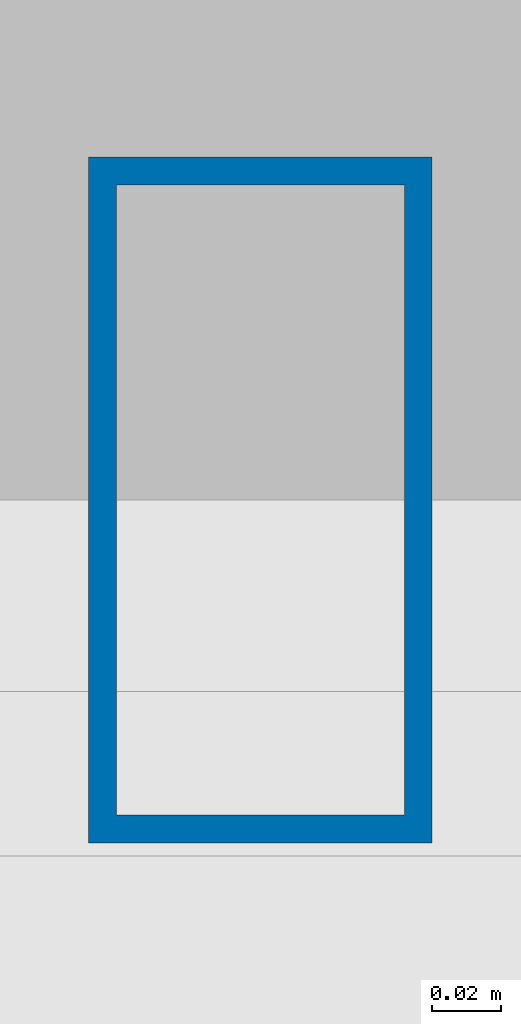
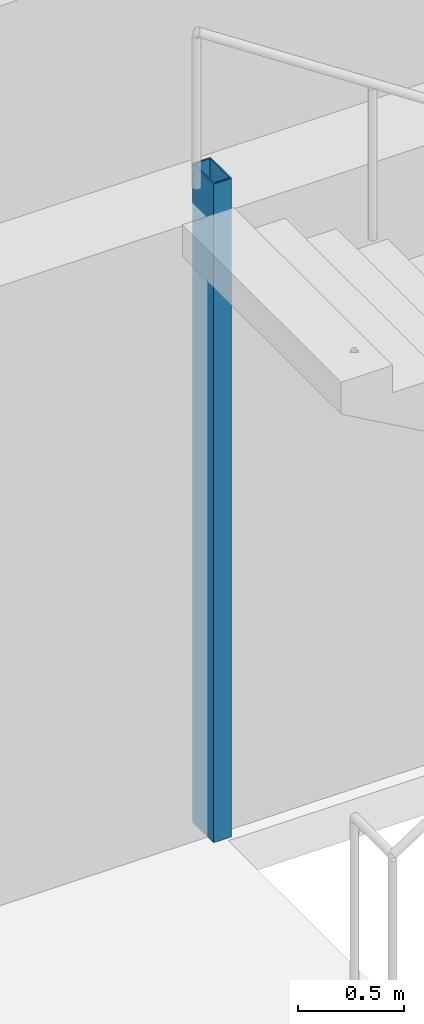
# One storey, part 2 of 17: 1 column.
"""IFC4 building model written with IfcOpenShell, lengths in metres."""

from ifc_helpers import new_model, si_unit, direction, frame, origin, origin_2d, place, context, subcontext, project, spatial, hollow_rectangle, extrude, material, material_profile, profile_set, type_object, element, save


model = new_model("IFC4")

# Units and contexts
model_context = context("Model", 3, precision=1e-05, world=origin(), true_north=direction((0.0, 1.0)))
body_context = subcontext(model_context, "Body", "Model", "MODEL_VIEW")
ifc_project = project(units=[si_unit("LENGTHUNIT", "METRE"), si_unit("AREAUNIT", "SQUARE_METRE"), si_unit("VOLUMEUNIT", "CUBIC_METRE"), si_unit("PLANEANGLEUNIT", "RADIAN"), si_unit("MASSUNIT", "GRAM", prefix="KILO")], contexts=[model_context])

# Site, building, storey
site_placement = place(None, origin())
site = spatial("IfcSite", under=ifc_project, at=site_placement, CompositionType="ELEMENT")
building_placement = place(site_placement, origin())
building = spatial("IfcBuilding", under=site, at=building_placement, Name="Menara Jurai Vektor", CompositionType="ELEMENT")
storey_placement = place(building_placement, frame((0.0, 0.0, 71.199951171875)))
storey = spatial("IfcBuildingStorey", under=building, at=storey_placement, Name="L17", CompositionType="ELEMENT", Elevation=71.199951171875)

# Column
ifc_material = material(Name="Steel S355", Category="steel")
ifc_material_profile = material_profile(ifc_material, hollow_rectangle(XDim=0.10009765625, YDim=0.199951171875, WallThickness=0.008056640625, at=origin_2d()), Name="RHS 200x100x8")
ifc_profile_set = profile_set([ifc_material_profile], Name="Steel S355")
column_type = type_object("IfcColumnType", Name="STR-COL-STAIR", PredefinedType="COLUMN", material=ifc_profile_set)
column_placement = place(storey_placement, frame((-11.1201171875, 5.419921875, 0.0), z_axis=(0.0, 0.0, 1.0), x_axis=(1.0, 0.0, 0.0)))
element("IfcColumn", 1, at=column_placement, inside=storey, type_object=column_type, Name="Stair Well Header Column ST1-P2 L17", PredefinedType="COLUMN", context=body_context, shape_type="SweptSolid", body=[
    extrude(hollow_rectangle(XDim=0.10009765625, YDim=0.199951171875, WallThickness=0.008056640625, at=origin_2d()), origin(), (0.0, 0.0, 1.0), 3.800048828125),
])

save(model, "model.ifc")
